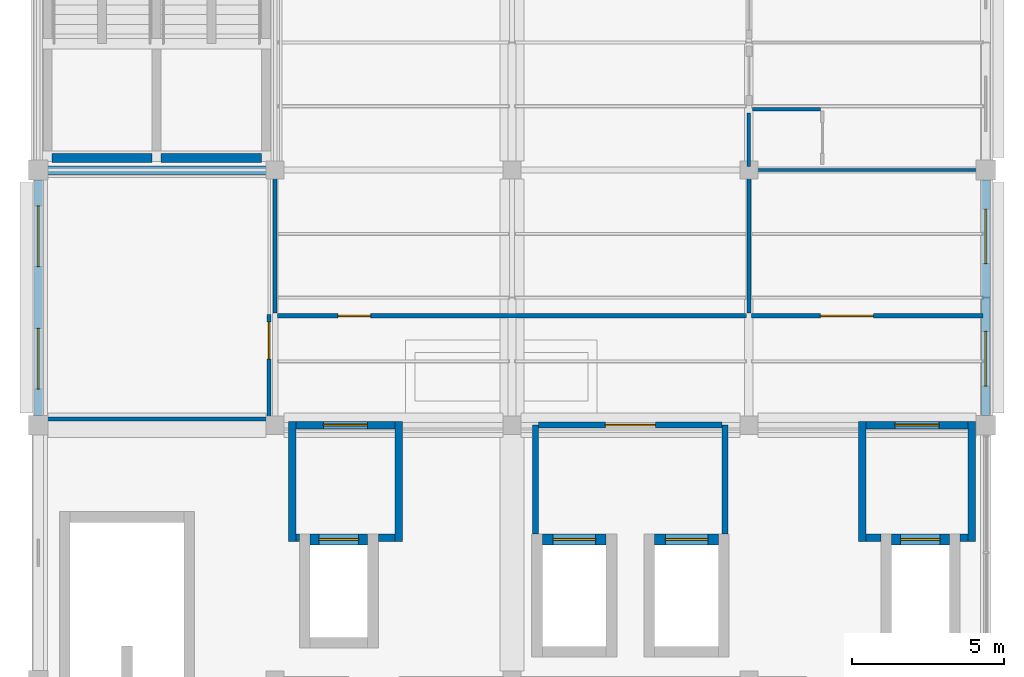
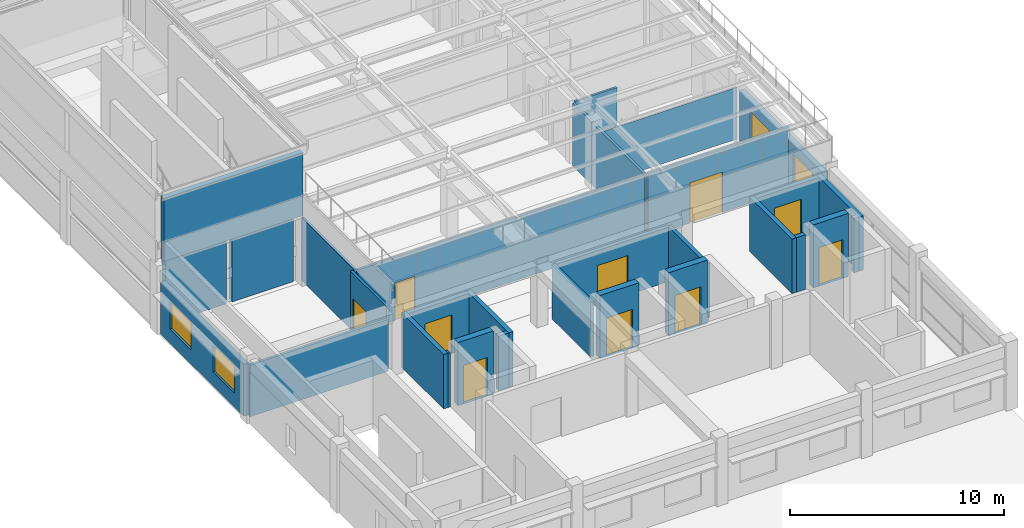
# One storey, part 15 of 20: 31 walls, 10 doors, 4 windows, 14 openings.
"""IFC4 building model written with IfcOpenShell, lengths in metres."""

from ifc_helpers import new_model, si_unit, direction, frame, frame_2d, origin, place, context, subcontext, project, spatial, rectangle, extrude, material, layer, layer_set, type_object, element, fill, save


model = new_model("IFC4")

# Units and contexts
model_context = context("Model", 3, precision=1e-05, world=origin(), true_north=direction((0.0, 1.0)))
body_context = subcontext(model_context, "Body", "Model", "MODEL_VIEW")
ifc_project = project(units=[si_unit("LENGTHUNIT", "METRE"), si_unit("AREAUNIT", "SQUARE_METRE"), si_unit("VOLUMEUNIT", "CUBIC_METRE"), si_unit("PLANEANGLEUNIT", "RADIAN"), si_unit("MASSUNIT", "GRAM", prefix="KILO"), si_unit("THERMODYNAMICTEMPERATUREUNIT", "KELVIN"), si_unit("POWERUNIT", "WATT")], contexts=[model_context])

# Site, building, storey
site_placement = place(None, origin())
site = spatial("IfcSite", under=ifc_project, at=site_placement, CompositionType="ELEMENT")
building_placement = place(site_placement, origin())
building = spatial("IfcBuilding", under=site, at=building_placement, Name="Srebrne Nadtorze General Hospital", CompositionType="ELEMENT")
storey_placement = place(building_placement, frame((0.0, 0.0, 33.89990234375)))
storey = spatial("IfcBuildingStorey", under=building, at=storey_placement, Name="L08", CompositionType="ELEMENT", Elevation=33.89990234375)

# Wall, opening, door
ifc_material_1 = material(Name="Gypsum Healthcare Partition")
ifc_layer_1 = layer(ifc_material_1, 0.139892578125)
ifc_layer_set_1 = layer_set([ifc_layer_1], Name="Gypsum Healthcare Partition")
wall_type_1 = type_object("IfcWallType", Name="Clinical partition 140", PredefinedType="PARTITIONING", material=ifc_layer_set_1)
wall_1_placement = place(storey_placement, frame((31.284912109375, 54.0, 0.0), z_axis=(0.0, 0.0, 1.0), x_axis=(1.0, 0.0, 0.0)))
wall_1 = element("IfcWall", 1, at=wall_1_placement, inside=storey, type_object=wall_type_1, Name="Trauma Transfer Suite wall WL-INT-L08-2521", PredefinedType="PARTITIONING", context=body_context, shape_type="SweptSolid", body=[
    extrude(rectangle(XDim=15.43017578125, YDim=0.139892578125, at=frame_2d((7.715087890625, 0.0))), origin(), (0.0, 0.0, 1.0), 3.580078125),
])
opening_1_placement = place(wall_1_placement, frame((1.981201171875, 0.0, 0.0)))
opening_1 = element("IfcOpeningElement", 2, at=opening_1_placement, cuts=wall_1, Name="Opening D-L08-0593", PredefinedType="OPENING", context=body_context, shape_type="SweptSolid", body=[
    extrude(rectangle(XDim=1.080078125, YDim=2.14990234375, at=frame_2d((0.5400390625, 1.074951171875))), frame((0.0, 0.08203125, 0.0), z_axis=(0.0, -1.0, 0.0), x_axis=(1.0, 0.0, 0.0)), (0.0, 0.0, 1.0), 0.163818359375),
])
ifc_material_2 = material(Name="Anodised Aluminium", Category="aluminium")
door_type_1 = type_object("IfcDoorType", Name="Single leaf door 1080x2150", OperationType="NOTDEFINED", PredefinedType="DOOR", material=ifc_material_2)
door_1_placement = place(opening_1_placement, origin())
door_1 = element("IfcDoor", 3, at=door_1_placement, inside=storey, type_object=door_type_1, Name="Trauma Transfer Suite door D-L08-0593", OperationType="SINGLE_SWING_LEFT", OverallHeight=2.14990234375, OverallWidth=1.080078125, PredefinedType="DOOR", context=body_context, shape_type="SweptSolid", body=[
    extrude(rectangle(XDim=1.080078125, YDim=2.14990234375, at=frame_2d((0.5400390625, 1.074951171875))), frame((0.0, 0.02490234375, 0.0), z_axis=(0.0, -1.0, 0.0), x_axis=(1.0, 0.0, 0.0)), (0.0, 0.0, 1.0), 0.050048828125),
])
fill(opening_1, door_1)

# Walls
wall_2_placement = place(storey_placement, frame((31.199951171875, 54.0849609375, 0.0), z_axis=(0.0, 0.0, 1.0), x_axis=(0.0, 1.0, 0.0)))
element("IfcWall", 4, at=wall_2_placement, inside=storey, type_object=wall_type_1, Name="Trauma Transfer Suite wall WL-INT-L08-2523", PredefinedType="PARTITIONING", context=body_context, shape_type="SweptSolid", body=[
    extrude(rectangle(XDim=4.85498046875, YDim=0.139892578125, at=frame_2d((2.427490234375, 0.0))), origin(), (0.0, 0.0, 1.0), 3.580078125),
])
wall_3_placement = place(storey_placement, frame((46.800048828125, 54.0849609375, 0.0), z_axis=(0.0, 0.0, 1.0), x_axis=(0.0, 1.0, 0.0)))
element("IfcWall", 5, at=wall_3_placement, inside=storey, type_object=wall_type_1, Name="Trauma Transfer Suite wall WL-INT-L08-2524", PredefinedType="PARTITIONING", context=body_context, shape_type="SweptSolid", body=[
    extrude(rectangle(XDim=4.794921875, YDim=0.139892578125, at=frame_2d((2.3974609375, 0.0))), origin(), (0.0, 0.0, 1.0), 3.580078125),
])

# Wall, opening, door
wall_4_placement = place(storey_placement, frame((31.0, 50.68505859375, 0.0), z_axis=(0.0, 0.0, 1.0), x_axis=(0.0, 1.0, 0.0)))
wall_4 = element("IfcWall", 6, at=wall_4_placement, inside=storey, type_object=wall_type_1, Name="Acute Trauma Procedure Room wall WL-INT-L08-2530", PredefinedType="PARTITIONING", context=body_context, shape_type="SweptSolid", body=[
    extrude(rectangle(XDim=3.35986328125, YDim=0.139892578125, at=frame_2d((1.679931640625, 0.0))), origin(), (0.0, 0.0, 1.0), 3.580078125),
])
opening_2_placement = place(wall_4_placement, frame((1.889892578125, 0.0, 0.0)))
opening_2 = element("IfcOpeningElement", 7, at=opening_2_placement, cuts=wall_4, Name="Opening D-L08-0596", PredefinedType="OPENING", context=body_context, shape_type="SweptSolid", body=[
    extrude(rectangle(XDim=1.219970703125, YDim=2.14990234375, at=frame_2d((0.60986328125, 1.074951171875))), frame((0.0, 0.08203125, 0.0), z_axis=(0.0, -1.0, 0.0), x_axis=(1.0, 0.0, 0.0)), (0.0, 0.0, 1.0), 0.163818359375),
])
ifc_material_3 = material(Name="Anodised Aluminium", Category="aluminium")
door_type_2 = type_object("IfcDoorType", Name="Single leaf door 1220x2150", OperationType="NOTDEFINED", PredefinedType="DOOR", material=ifc_material_3)
door_2_placement = place(opening_2_placement, origin())
door_2 = element("IfcDoor", 8, at=door_2_placement, inside=storey, type_object=door_type_2, Name="Acute Trauma Procedure Room door D-L08-0596", OperationType="SINGLE_SWING_RIGHT", OverallHeight=2.14990234375, OverallWidth=1.219970703125, PredefinedType="DOOR", context=body_context, shape_type="SweptSolid", body=[
    extrude(rectangle(XDim=1.219970703125, YDim=2.14990234375, at=frame_2d((0.60986328125, 1.074951171875))), frame((0.0, 0.02490234375, 0.0), z_axis=(0.0, -1.0, 0.0), x_axis=(1.0, 0.0, 0.0)), (0.0, 0.0, 1.0), 0.050048828125),
])
fill(opening_2, door_2)

# Wall
wall_5_placement = place(storey_placement, frame((23.485107421875, 50.60009765625, 0.0), z_axis=(0.0, 0.0, 1.0), x_axis=(1.0, 0.0, 0.0)))
element("IfcWall", 9, at=wall_5_placement, inside=storey, type_object=wall_type_1, Name="Acute Trauma Procedure Room wall WL-INT-L08-2531", PredefinedType="PARTITIONING", context=body_context, shape_type="SweptSolid", body=[
    extrude(rectangle(XDim=7.429931640625, YDim=0.139892578125, at=frame_2d((3.71484375, 0.0))), origin(), (0.0, 0.0, 1.0), 2.9501953125),
])

# Wall, opening, door
ifc_material_4 = material(Name="Gypsum Healthcare Partition")
ifc_layer_2 = layer(ifc_material_4, 0.159912109375)
ifc_layer_set_2 = layer_set([ifc_layer_2], Name="Gypsum Healthcare Partition")
wall_type_2 = type_object("IfcWallType", Name="Clinical partition 160", PredefinedType="PARTITIONING", material=ifc_layer_set_2)
wall_6_placement = place(storey_placement, frame((46.885009765625, 54.0, 0.0), z_axis=(0.0, 0.0, 1.0), x_axis=(1.0, 0.0, 0.0)))
wall_6 = element("IfcWall", 10, at=wall_6_placement, inside=storey, type_object=wall_type_2, Name="Nursing Station wall WL-INT-L08-2537", PredefinedType="PARTITIONING", context=body_context, shape_type="SweptSolid", body=[
    extrude(rectangle(XDim=7.6298828125, YDim=0.159912109375, at=frame_2d((3.81494140625, 0.0))), origin(), (0.0, 0.0, 1.0), 3.580078125),
])
opening_3_placement = place(wall_6_placement, frame((2.267578125, 0.0, 0.0)))
opening_3 = element("IfcOpeningElement", 11, at=opening_3_placement, cuts=wall_6, Name="Opening D-L08-0598", PredefinedType="OPENING", context=body_context, shape_type="SweptSolid", body=[
    extrude(rectangle(XDim=1.75, YDim=2.300048828125, at=frame_2d((0.875, 1.14990234375))), frame((0.0, 0.091796875, 0.0), z_axis=(0.0, -1.0, 0.0), x_axis=(1.0, 0.0, 0.0)), (0.0, 0.0, 1.0), 0.183837890625),
])
ifc_material_5 = material(Name="Anodised Aluminium", Category="aluminium")
door_type_3 = type_object("IfcDoorType", Name="Double leaf door 1750x2300", OperationType="DOUBLE_DOOR_SINGLE_SWING", PredefinedType="DOOR", material=ifc_material_5)
door_3_placement = place(opening_3_placement, origin())
door_3 = element("IfcDoor", 12, at=door_3_placement, inside=storey, type_object=door_type_3, Name="Nursing Station door D-L08-0598", OperationType="DOUBLE_DOOR_SINGLE_SWING", OverallHeight=2.300048828125, OverallWidth=1.75, PredefinedType="DOOR", context=body_context, shape_type="SweptSolid", body=[
    extrude(rectangle(XDim=1.75, YDim=2.300048828125, at=frame_2d((0.875, 1.14990234375))), frame((0.0, 0.02490234375, 0.0), z_axis=(0.0, -1.0, 0.0), x_axis=(1.0, 0.0, 0.0)), (0.0, 0.0, 1.0), 0.050048828125),
])
fill(opening_3, door_3)

# Walls
ifc_material_6 = material(Name="Gypsum Healthcare Partition")
ifc_layer_3 = layer(ifc_material_6, 0.199951171875)
ifc_layer_set_3 = layer_set([ifc_layer_3], Name="Gypsum Healthcare Partition")
wall_type_3 = type_object("IfcWallType", Name="Compartment wall 200", PredefinedType="STANDARD", material=ifc_layer_set_3)
for number, where, z_axis, x_axis, name in (
    (13, (39.780029296875, 46.81005859375, 0.0), (0.0, 0.0, 1.0), (0.0, 1.0, 0.0), "Lift lobby side wall WL-INT-L08-1185"),
    (14, (46.02001953125, 46.81005859375, 0.0), (0.0, 0.0, 1.0), (0.0, 1.0, 0.0), "Lift lobby side wall WL-INT-L08-1186"),
):
    element("IfcWall", number, at=place(storey_placement, frame(where, z_axis=z_axis, x_axis=x_axis)), inside=storey, type_object=wall_type_3, Name=name, PredefinedType="STANDARD", context=body_context, shape_type="SweptSolid", body=[
        extrude(rectangle(XDim=3.58984375, YDim=0.199951171875, at=frame_2d((1.794921875, 0.0))), origin(), (0.0, 0.0, 1.0), 3.10009765625),
    ])

# Wall, opening, door
wall_7_placement = place(storey_placement, frame((39.8798828125, 50.39990234375, 0.0), z_axis=(0.0, 0.0, 1.0), x_axis=(1.0, 0.0, 0.0)))
wall_7 = element("IfcWall", 15, at=wall_7_placement, inside=storey, type_object=wall_type_3, Name="Lift lobby corridor wall WL-INT-L08-1187", PredefinedType="STANDARD", context=body_context, shape_type="SweptSolid", body=[
    extrude(rectangle(XDim=6.0400390625, YDim=0.199951171875, at=frame_2d((3.02001953125, 0.0))), origin(), (0.0, 0.0, 1.0), 3.10009765625),
])
opening_4_placement = place(wall_7_placement, frame((2.195068359375, 0.0, 0.0)))
opening_4 = element("IfcOpeningElement", 16, at=opening_4_placement, cuts=wall_7, Name="Opening D-L08-0164", PredefinedType="OPENING", context=body_context, shape_type="SweptSolid", body=[
    extrude(rectangle(XDim=1.64990234375, YDim=2.25, at=frame_2d((0.824951171875, 1.125))), frame((0.0, 0.11181640625, 0.0), z_axis=(0.0, -1.0, 0.0), x_axis=(1.0, 0.0, 0.0)), (0.0, 0.0, 1.0), 0.223876953125),
])
ifc_material_7 = material(Name="Anodised Aluminium", Category="aluminium")
door_type_4 = type_object("IfcDoorType", Name="Double leaf door 1650x2250", OperationType="DOUBLE_DOOR_SINGLE_SWING", PredefinedType="DOOR", material=ifc_material_7)
door_4_placement = place(opening_4_placement, origin())
door_4 = element("IfcDoor", 17, at=door_4_placement, inside=storey, type_object=door_type_4, Name="Lift lobby corridor door D-L08-0164", OperationType="DOUBLE_DOOR_SINGLE_SWING", OverallHeight=2.25, OverallWidth=1.64990234375, PredefinedType="DOOR", context=body_context, shape_type="SweptSolid", body=[
    extrude(rectangle(XDim=1.64990234375, YDim=2.25, at=frame_2d((0.824951171875, 1.125))), frame((0.0, 0.02490234375, 0.0), z_axis=(0.0, -1.0, 0.0), x_axis=(1.0, 0.0, 0.0)), (0.0, 0.0, 1.0), 0.050048828125),
])
fill(opening_4, door_4)

# Walls
ifc_material_8 = material(Name="Gypsum Healthcare Partition")
ifc_layer_4 = layer(ifc_material_8, 0.239990234375)
ifc_layer_set_4 = layer_set([ifc_layer_4], Name="Gypsum Healthcare Partition")
wall_type_4 = type_object("IfcWallType", Name="Corridor fire wall 240", PredefinedType="STANDARD", material=ifc_layer_set_4)
for number, where, z_axis, x_axis, name in (
    (18, (31.760009765625, 46.570068359375, 0.0), (0.0, 0.0, 1.0), (0.0, 1.0, 0.0), "FF lift lobby wall WL-INT-L08-1175"),
    (19, (35.27001953125, 46.570068359375, 0.0), (0.0, 0.0, 1.0), (0.0, 1.0, 0.0), "FF lift lobby wall WL-INT-L08-1176"),
):
    element("IfcWall", number, at=place(storey_placement, frame(where, z_axis=z_axis, x_axis=x_axis)), inside=storey, type_object=wall_type_4, Name=name, PredefinedType="STANDARD", context=body_context, shape_type="SweptSolid", body=[
        extrude(rectangle(XDim=3.949951171875, YDim=0.239990234375, at=frame_2d((1.97509765625, 0.0))), origin(), (0.0, 0.0, 1.0), 3.10009765625),
    ])
wall_8_placement = place(storey_placement, frame((31.8798828125, 46.68994140625, 0.0), z_axis=(0.0, 0.0, 1.0), x_axis=(1.0, 0.0, 0.0)))
element("IfcWall", 20, at=wall_8_placement, inside=storey, type_object=wall_type_4, Name="FF lift lobby return wall WL-INT-L08-1177", PredefinedType="STANDARD", context=body_context, shape_type="SweptSolid", body=[
    extrude(rectangle(XDim=0.1201171875, YDim=0.239990234375, at=frame_2d((0.06005859375, 0.0))), origin(), (0.0, 0.0, 1.0), 3.10009765625),
])
wall_9_placement = place(storey_placement, frame((34.60009765625, 46.68994140625, 0.0), z_axis=(0.0, 0.0, 1.0), x_axis=(1.0, 0.0, 0.0)))
element("IfcWall", 21, at=wall_9_placement, inside=storey, type_object=wall_type_4, Name="FF lift lobby return wall WL-INT-L08-1178", PredefinedType="STANDARD", context=body_context, shape_type="SweptSolid", body=[
    extrude(rectangle(XDim=0.5498046875, YDim=0.239990234375, at=frame_2d((0.27490234375, 0.0))), origin(), (0.0, 0.0, 1.0), 3.10009765625),
])

# Wall, opening, door
wall_10_placement = place(storey_placement, frame((31.8798828125, 50.39990234375, 0.0), z_axis=(0.0, 0.0, 1.0), x_axis=(1.0, 0.0, 0.0)))
wall_10 = element("IfcWall", 22, at=wall_10_placement, inside=storey, type_object=wall_type_4, Name="FF lift lobby front wall WL-INT-L08-1179", PredefinedType="STANDARD", context=body_context, shape_type="SweptSolid", body=[
    extrude(rectangle(XDim=3.27001953125, YDim=0.239990234375, at=frame_2d((1.635009765625, 0.0))), origin(), (0.0, 0.0, 1.0), 3.10009765625),
])
opening_5_placement = place(wall_10_placement, frame((0.909912109375, 0.0, 0.0)))
opening_5 = element("IfcOpeningElement", 23, at=opening_5_placement, cuts=wall_10, Name="Opening D-L08-0162", PredefinedType="OPENING", context=body_context, shape_type="SweptSolid", body=[
    extrude(rectangle(XDim=1.449951171875, YDim=2.199951171875, at=frame_2d((0.72509765625, 1.10009765625))), frame((0.0, 0.1318359375, 0.0), z_axis=(0.0, -1.0, 0.0), x_axis=(1.0, 0.0, 0.0)), (0.0, 0.0, 1.0), 0.263916015625),
])
ifc_material_9 = material(Name="Anodised Aluminium", Category="aluminium")
door_type_5 = type_object("IfcDoorType", Name="Double leaf door 1450x2200", OperationType="DOUBLE_DOOR_SINGLE_SWING", PredefinedType="DOOR", material=ifc_material_9)
door_5_placement = place(opening_5_placement, origin())
door_5 = element("IfcDoor", 24, at=door_5_placement, inside=storey, type_object=door_type_5, Name="Firefighting lift lobby door D-L08-0162", OperationType="DOUBLE_DOOR_SINGLE_SWING", OverallHeight=2.199951171875, OverallWidth=1.449951171875, PredefinedType="DOOR", context=body_context, shape_type="SweptSolid", body=[
    extrude(rectangle(XDim=1.449951171875, YDim=2.199951171875, at=frame_2d((0.72509765625, 1.10009765625))), frame((0.0, 0.02490234375, 0.0), z_axis=(0.0, -1.0, 0.0), x_axis=(1.0, 0.0, 0.0)), (0.0, 0.0, 1.0), 0.050048828125),
])
fill(opening_5, door_5)

# Walls
for number, where, z_axis, x_axis, name in (
    (25, (50.530029296875, 46.570068359375, 0.0), (0.0, 0.0, 1.0), (0.0, 1.0, 0.0), "FF lift lobby wall WL-INT-L08-1180"),
    (26, (54.139892578125, 46.570068359375, 0.0), (0.0, 0.0, 1.0), (0.0, 1.0, 0.0), "FF lift lobby wall WL-INT-L08-1181"),
):
    element("IfcWall", number, at=place(storey_placement, frame(where, z_axis=z_axis, x_axis=x_axis)), inside=storey, type_object=wall_type_4, Name=name, PredefinedType="STANDARD", context=body_context, shape_type="SweptSolid", body=[
        extrude(rectangle(XDim=3.949951171875, YDim=0.239990234375, at=frame_2d((1.97509765625, 0.0))), origin(), (0.0, 0.0, 1.0), 3.10009765625),
    ])
wall_11_placement = place(storey_placement, frame((50.64990234375, 46.68994140625, 0.0), z_axis=(0.0, 0.0, 1.0), x_axis=(1.0, 0.0, 0.0)))
element("IfcWall", 27, at=wall_11_placement, inside=storey, type_object=wall_type_4, Name="FF lift lobby return wall WL-INT-L08-1182", PredefinedType="STANDARD", context=body_context, shape_type="SweptSolid", body=[
    extrude(rectangle(XDim=0.5, YDim=0.239990234375, at=frame_2d((0.25, 0.0))), origin(), (0.0, 0.0, 1.0), 3.10009765625),
])
wall_12_placement = place(storey_placement, frame((53.75, 46.68994140625, 0.0), z_axis=(0.0, 0.0, 1.0), x_axis=(1.0, 0.0, 0.0)))
element("IfcWall", 28, at=wall_12_placement, inside=storey, type_object=wall_type_4, Name="FF lift lobby return wall WL-INT-L08-1183", PredefinedType="STANDARD", context=body_context, shape_type="SweptSolid", body=[
    extrude(rectangle(XDim=0.27001953125, YDim=0.239990234375, at=frame_2d((0.135009765625, 0.0))), origin(), (0.0, 0.0, 1.0), 3.10009765625),
])

# Wall, opening, door
wall_13_placement = place(storey_placement, frame((50.64990234375, 50.39990234375, 0.0), z_axis=(0.0, 0.0, 1.0), x_axis=(1.0, 0.0, 0.0)))
wall_13 = element("IfcWall", 29, at=wall_13_placement, inside=storey, type_object=wall_type_4, Name="FF lift lobby front wall WL-INT-L08-1184", PredefinedType="STANDARD", context=body_context, shape_type="SweptSolid", body=[
    extrude(rectangle(XDim=3.3701171875, YDim=0.239990234375, at=frame_2d((1.68505859375, 0.0))), origin(), (0.0, 0.0, 1.0), 3.10009765625),
])
opening_6_placement = place(wall_13_placement, frame((0.9599609375, 0.0, 0.0)))
opening_6 = element("IfcOpeningElement", 30, at=opening_6_placement, cuts=wall_13, Name="Opening D-L08-0163", PredefinedType="OPENING", context=body_context, shape_type="SweptSolid", body=[
    extrude(rectangle(XDim=1.449951171875, YDim=2.199951171875, at=frame_2d((0.72509765625, 1.10009765625))), frame((0.0, 0.1318359375, 0.0), z_axis=(0.0, -1.0, 0.0), x_axis=(1.0, 0.0, 0.0)), (0.0, 0.0, 1.0), 0.263916015625),
])
door_6_placement = place(opening_6_placement, origin())
door_6 = element("IfcDoor", 31, at=door_6_placement, inside=storey, type_object=door_type_5, Name="Firefighting lift lobby door D-L08-0163", OperationType="DOUBLE_DOOR_SINGLE_SWING", OverallHeight=2.199951171875, OverallWidth=1.449951171875, PredefinedType="DOOR", context=body_context, shape_type="SweptSolid", body=[
    extrude(rectangle(XDim=1.449951171875, YDim=2.199951171875, at=frame_2d((0.72509765625, 1.10009765625))), frame((0.0, 0.02490234375, 0.0), z_axis=(0.0, -1.0, 0.0), x_axis=(1.0, 0.0, 0.0)), (0.0, 0.0, 1.0), 0.050048828125),
])
fill(opening_6, door_6)

# Walls
ifc_material_10 = material(Name="Gypsum Healthcare Partition")
ifc_layer_5 = layer(ifc_material_10, 0.1201171875)
ifc_layer_set_5 = layer_set([ifc_layer_5], Name="Gypsum Healthcare Partition")
wall_type_5 = type_object("IfcWallType", Name="En-suite partition 120", PredefinedType="PARTITIONING", material=ifc_layer_set_5)
wall_14_placement = place(storey_placement, frame((46.800048828125, 58.919921875, 0.0), z_axis=(0.0, 0.0, 1.0), x_axis=(0.0, 1.0, 0.0)))
element("IfcWall", 32, at=wall_14_placement, inside=storey, type_object=wall_type_5, Name="En-suite corridor wall WL-INT-L08-2503", PredefinedType="PARTITIONING", context=body_context, shape_type="SweptSolid", body=[
    extrude(rectangle(XDim=1.760009765625, YDim=0.1201171875, at=frame_2d((0.8798828125, 0.0))), origin(), (0.0, 0.0, 1.0), 3.580078125),
])
wall_15_placement = place(storey_placement, frame((46.919921875, 60.800048828125, 0.0), z_axis=(0.0, 0.0, 1.0), x_axis=(1.0, 0.0, 0.0)))
element("IfcWall", 33, at=wall_15_placement, inside=storey, type_object=wall_type_5, Name="En-suite wet wall WL-INT-L08-2504", PredefinedType="PARTITIONING", context=body_context, shape_type="SweptSolid", body=[
    extrude(rectangle(XDim=2.239990234375, YDim=0.1201171875, at=frame_2d((1.1201171875, 0.0))), origin(), (0.0, 0.0, 1.0), 3.580078125),
])
ifc_material_11 = material(Name="Gypsum Healthcare Partition")
ifc_layer_6 = layer(ifc_material_11, 0.10009765625)
ifc_layer_set_6 = layer_set([ifc_layer_6], Name="Gypsum Healthcare Partition")
wall_type_6 = type_object("IfcWallType", Name="Shaft lining wall 100", PredefinedType="PARTITIONING", material=ifc_layer_set_6)
wall_16_placement = place(storey_placement, frame((46.919921875, 58.800048828125, 0.0), z_axis=(0.0, 0.0, 1.0), x_axis=(1.0, 0.0, 0.0)))
element("IfcWall", 34, at=wall_16_placement, inside=storey, type_object=wall_type_6, Name="Ward inter-room partition WL-INT-L08-2500", PredefinedType="PARTITIONING", context=body_context, shape_type="SweptSolid", body=[
    extrude(rectangle(XDim=7.56005859375, YDim=0.10009765625, at=frame_2d((3.780029296875, 0.0))), origin(), (0.0, 0.0, 1.0), 2.9501953125),
])

# Wall, opening, door
ifc_material_12 = material(Name="Concrete C40/50", Category="concrete")
ifc_layer_7 = layer(ifc_material_12, 0.35009765625)
ifc_layer_set_7 = layer_set([ifc_layer_7], Name="Concrete C40/50")
wall_type_7 = type_object("IfcWallType", Name="Shear core wall 350", PredefinedType="SHEAR", material=ifc_layer_set_7)
wall_17_placement = place(storey_placement, frame((32.35009765625, 46.635009765625, 0.0), z_axis=(0.0, 0.0, 1.0), x_axis=(1.0, 0.0, 0.0)))
wall_17 = element("IfcWall", 35, at=wall_17_placement, inside=storey, type_object=wall_type_7, Name="Lift shaft front wall FL-01 WL-INT-L08-0505", PredefinedType="SHEAR", context=body_context, shape_type="SweptSolid", body=[
    extrude(rectangle(XDim=1.89990234375, YDim=0.35009765625, at=frame_2d((0.949951171875, 0.0))), origin(), (0.0, 0.0, 1.0), 3.60009765625),
])
opening_7_placement = place(wall_17_placement, frame((0.300048828125, 0.0, 0.0)))
opening_7 = element("IfcOpeningElement", 36, at=opening_7_placement, cuts=wall_17, Name="Opening LD-L08-010", PredefinedType="OPENING", context=body_context, shape_type="SweptSolid", body=[
    extrude(rectangle(XDim=1.300048828125, YDim=2.199951171875, at=frame_2d((0.64990234375, 1.10009765625))), frame((0.0, 0.18701171875, 0.0), z_axis=(0.0, -1.0, 0.0), x_axis=(1.0, 0.0, 0.0)), (0.0, 0.0, 1.0), 0.3740234375),
])
ifc_material_13 = material(Name="Anodised Aluminium", Category="aluminium")
door_type_6 = type_object("IfcDoorType", Name="Sliding lift door 1300x2200", OperationType="SLIDING_TO_LEFT", PredefinedType="DOOR", material=ifc_material_13)
door_7_placement = place(opening_7_placement, origin())
door_7 = element("IfcDoor", 37, at=door_7_placement, inside=storey, type_object=door_type_6, Name="Lift Landing Door LD-L08-010", OperationType="SLIDING_TO_LEFT", OverallHeight=2.199951171875, OverallWidth=1.300048828125, PredefinedType="DOOR", context=body_context, shape_type="SweptSolid", body=[
    extrude(rectangle(XDim=1.300048828125, YDim=2.199951171875, at=frame_2d((0.64990234375, 1.10009765625))), frame((0.0, 0.02490234375, 0.0), z_axis=(0.0, -1.0, 0.0), x_axis=(1.0, 0.0, 0.0)), (0.0, 0.0, 1.0), 0.050048828125),
])
fill(opening_7, door_7)

wall_18_placement = place(storey_placement, frame((40.0, 46.635009765625, 0.0), z_axis=(0.0, 0.0, 1.0), x_axis=(1.0, 0.0, 0.0)))
wall_18 = element("IfcWall", 38, at=wall_18_placement, inside=storey, type_object=wall_type_7, Name="Lift shaft front wall LS-01 WL-INT-L08-0581", PredefinedType="SHEAR", context=body_context, shape_type="SweptSolid", body=[
    extrude(rectangle(XDim=2.10009765625, YDim=0.35009765625, at=frame_2d((1.050048828125, 0.0))), origin(), (0.0, 0.0, 1.0), 3.60009765625),
])
opening_8_placement = place(wall_18_placement, frame((0.35009765625, 0.0, 0.0)))
opening_8 = element("IfcOpeningElement", 39, at=opening_8_placement, cuts=wall_18, Name="Opening LD-L08-029", PredefinedType="OPENING", context=body_context, shape_type="SweptSolid", body=[
    extrude(rectangle(XDim=1.39990234375, YDim=2.199951171875, at=frame_2d((0.699951171875, 1.10009765625))), frame((0.0, 0.18701171875, 0.0), z_axis=(0.0, -1.0, 0.0), x_axis=(1.0, 0.0, 0.0)), (0.0, 0.0, 1.0), 0.3740234375),
])
ifc_material_14 = material(Name="Anodised Aluminium", Category="aluminium")
door_type_7 = type_object("IfcDoorType", Name="Sliding lift door 1400x2200", OperationType="SLIDING_TO_LEFT", PredefinedType="DOOR", material=ifc_material_14)
door_8_placement = place(opening_8_placement, origin())
door_8 = element("IfcDoor", 40, at=door_8_placement, inside=storey, type_object=door_type_7, Name="Lift Landing Door LD-L08-029", OperationType="SLIDING_TO_LEFT", OverallHeight=2.199951171875, OverallWidth=1.39990234375, PredefinedType="DOOR", context=body_context, shape_type="SweptSolid", body=[
    extrude(rectangle(XDim=1.39990234375, YDim=2.199951171875, at=frame_2d((0.699951171875, 1.10009765625))), frame((0.0, 0.02490234375, 0.0), z_axis=(0.0, -1.0, 0.0), x_axis=(1.0, 0.0, 0.0)), (0.0, 0.0, 1.0), 0.050048828125),
])
fill(opening_8, door_8)

wall_19_placement = place(storey_placement, frame((43.699951171875, 46.635009765625, 0.0), z_axis=(0.0, 0.0, 1.0), x_axis=(1.0, 0.0, 0.0)))
wall_19 = element("IfcWall", 41, at=wall_19_placement, inside=storey, type_object=wall_type_7, Name="Lift shaft front wall LS-02 WL-INT-L08-0621", PredefinedType="SHEAR", context=body_context, shape_type="SweptSolid", body=[
    extrude(rectangle(XDim=2.10009765625, YDim=0.35009765625, at=frame_2d((1.050048828125, 0.0))), origin(), (0.0, 0.0, 1.0), 3.60009765625),
])
opening_9_placement = place(wall_19_placement, frame((0.35009765625, 0.0, 0.0)))
opening_9 = element("IfcOpeningElement", 42, at=opening_9_placement, cuts=wall_19, Name="Opening LD-L08-039", PredefinedType="OPENING", context=body_context, shape_type="SweptSolid", body=[
    extrude(rectangle(XDim=1.39990234375, YDim=2.199951171875, at=frame_2d((0.699951171875, 1.10009765625))), frame((0.0, 0.18701171875, 0.0), z_axis=(0.0, -1.0, 0.0), x_axis=(1.0, 0.0, 0.0)), (0.0, 0.0, 1.0), 0.3740234375),
])
door_9_placement = place(opening_9_placement, origin())
door_9 = element("IfcDoor", 43, at=door_9_placement, inside=storey, type_object=door_type_7, Name="Lift Landing Door LD-L08-039", OperationType="SLIDING_TO_LEFT", OverallHeight=2.199951171875, OverallWidth=1.39990234375, PredefinedType="DOOR", context=body_context, shape_type="SweptSolid", body=[
    extrude(rectangle(XDim=1.39990234375, YDim=2.199951171875, at=frame_2d((0.699951171875, 1.10009765625))), frame((0.0, 0.02490234375, 0.0), z_axis=(0.0, -1.0, 0.0), x_axis=(1.0, 0.0, 0.0)), (0.0, 0.0, 1.0), 0.050048828125),
])
fill(opening_9, door_9)

wall_20_placement = place(storey_placement, frame((51.5, 46.635009765625, 0.0), z_axis=(0.0, 0.0, 1.0), x_axis=(1.0, 0.0, 0.0)))
wall_20 = element("IfcWall", 44, at=wall_20_placement, inside=storey, type_object=wall_type_7, Name="Lift shaft front wall FL-02 WL-INT-L08-0697", PredefinedType="SHEAR", context=body_context, shape_type="SweptSolid", body=[
    extrude(rectangle(XDim=1.89990234375, YDim=0.35009765625, at=frame_2d((0.949951171875, 0.0))), origin(), (0.0, 0.0, 1.0), 3.60009765625),
])
opening_10_placement = place(wall_20_placement, frame((0.300048828125, 0.0, 0.0)))
opening_10 = element("IfcOpeningElement", 45, at=opening_10_placement, cuts=wall_20, Name="Opening LD-L08-058", PredefinedType="OPENING", context=body_context, shape_type="SweptSolid", body=[
    extrude(rectangle(XDim=1.300048828125, YDim=2.199951171875, at=frame_2d((0.64990234375, 1.10009765625))), frame((0.0, 0.18701171875, 0.0), z_axis=(0.0, -1.0, 0.0), x_axis=(1.0, 0.0, 0.0)), (0.0, 0.0, 1.0), 0.3740234375),
])
door_10_placement = place(opening_10_placement, origin())
door_10 = element("IfcDoor", 46, at=door_10_placement, inside=storey, type_object=door_type_6, Name="Lift Landing Door LD-L08-058", OperationType="SLIDING_TO_LEFT", OverallHeight=2.199951171875, OverallWidth=1.300048828125, PredefinedType="DOOR", context=body_context, shape_type="SweptSolid", body=[
    extrude(rectangle(XDim=1.300048828125, YDim=2.199951171875, at=frame_2d((0.64990234375, 1.10009765625))), frame((0.0, 0.02490234375, 0.0), z_axis=(0.0, -1.0, 0.0), x_axis=(1.0, 0.0, 0.0)), (0.0, 0.0, 1.0), 0.050048828125),
])
fill(opening_10, door_10)

# Wall, openings, windows
ifc_material_15 = material(Name="Concrete C35/45 precast", Category="concrete")
ifc_layer_8 = layer(ifc_material_15, 0.280029296875)
ifc_layer_set_8 = layer_set([ifc_layer_8], Name="Concrete C35/45 precast")
wall_type_8 = type_object("IfcWallType", Name="Spandrel wall 280", PredefinedType="STANDARD", material=ifc_layer_set_8)
wall_21_placement = place(storey_placement, frame((23.39990234375, 50.72509765625, 0.0), z_axis=(0.0, 0.0, 1.0), x_axis=(0.0, 1.0, 0.0)))
wall_21 = element("IfcWall", 47, at=wall_21_placement, inside=storey, type_object=wall_type_8, Name="Exterior wall WL-ENV-L08-0560", PredefinedType="STANDARD", context=body_context, shape_type="SweptSolid", body=[
    extrude(rectangle(XDim=7.75, YDim=0.280029296875, at=frame_2d((3.875, 0.0))), origin(), (0.0, 0.0, 1.0), 2.9501953125),
])
opening_11_placement = place(wall_21_placement, frame((0.85888671875, 0.0, 0.800048828125)))
opening_11 = element("IfcOpeningElement", 48, at=opening_11_placement, cuts=wall_21, Name="Opening WN-L08-0944", PredefinedType="OPENING", context=body_context, shape_type="SweptSolid", body=[
    extrude(rectangle(XDim=2.0, YDim=1.550048828125, at=frame_2d((1.0, 0.77490234375))), frame((0.0, 0.15185546875, 0.0), z_axis=(0.0, -1.0, 0.0), x_axis=(1.0, 0.0, 0.0)), (0.0, 0.0, 1.0), 0.303955078125),
])
opening_12_placement = place(wall_21_placement, frame((4.89111328125, 0.0, 0.800048828125)))
opening_12 = element("IfcOpeningElement", 49, at=opening_12_placement, cuts=wall_21, Name="Opening WN-L08-0945", PredefinedType="OPENING", context=body_context, shape_type="SweptSolid", body=[
    extrude(rectangle(XDim=2.0, YDim=1.550048828125, at=frame_2d((1.0, 0.77490234375))), frame((0.0, 0.15185546875, 0.0), z_axis=(0.0, -1.0, 0.0), x_axis=(1.0, 0.0, 0.0)), (0.0, 0.0, 1.0), 0.303955078125),
])
ifc_material_16 = material(Name="Triple Low-E Glazing", Category="glass")
window_type_1 = type_object("IfcWindowType", Name="Punched clinical window 2000x1550", PartitioningType="DOUBLE_PANEL_VERTICAL", PredefinedType="WINDOW", material=ifc_material_16)
window_1_placement = place(opening_11_placement, origin())
window_1 = element("IfcWindow", 50, at=window_1_placement, inside=storey, type_object=window_type_1, Name="Clinical window WN-L08-0944", OverallHeight=1.550048828125, OverallWidth=2.0, PartitioningType="DOUBLE_PANEL_VERTICAL", PredefinedType="WINDOW", context=body_context, shape_type="SweptSolid", body=[
    extrude(rectangle(XDim=2.0, YDim=1.550048828125, at=frame_2d((1.0, 0.77490234375))), frame((0.0, 0.030029296875, 0.0), z_axis=(0.0, -1.0, 0.0), x_axis=(1.0, 0.0, 0.0)), (0.0, 0.0, 1.0), 0.06005859375),
])
fill(opening_11, window_1)
window_2_placement = place(opening_12_placement, origin())
window_2 = element("IfcWindow", 51, at=window_2_placement, inside=storey, type_object=window_type_1, Name="Clinical window WN-L08-0945", OverallHeight=1.550048828125, OverallWidth=2.0, PartitioningType="DOUBLE_PANEL_VERTICAL", PredefinedType="WINDOW", context=body_context, shape_type="SweptSolid", body=[
    extrude(rectangle(XDim=2.0, YDim=1.550048828125, at=frame_2d((1.0, 0.77490234375))), frame((0.0, 0.030029296875, 0.0), z_axis=(0.0, -1.0, 0.0), x_axis=(1.0, 0.0, 0.0)), (0.0, 0.0, 1.0), 0.06005859375),
])
fill(opening_12, window_2)

wall_22_placement = place(storey_placement, frame((54.60009765625, 50.72509765625, 0.0), z_axis=(0.0, 0.0, 1.0), x_axis=(0.0, 1.0, 0.0)))
wall_22 = element("IfcWall", 52, at=wall_22_placement, inside=storey, type_object=wall_type_8, Name="Exterior wall WL-ENV-L08-0565", PredefinedType="STANDARD", context=body_context, shape_type="SweptSolid", body=[
    extrude(rectangle(XDim=7.75, YDim=0.280029296875, at=frame_2d((3.875, 0.0))), origin(), (0.0, 0.0, 1.0), 2.9501953125),
])
opening_13_placement = place(wall_22_placement, frame((0.958984375, 0.0, 0.800048828125)))
opening_13 = element("IfcOpeningElement", 53, at=opening_13_placement, cuts=wall_22, Name="Opening WN-L08-0948", PredefinedType="OPENING", context=body_context, shape_type="SweptSolid", body=[
    extrude(rectangle(XDim=1.800048828125, YDim=1.550048828125, at=frame_2d((0.89990234375, 0.77490234375))), frame((0.0, 0.15185546875, 0.0), z_axis=(0.0, -1.0, 0.0), x_axis=(1.0, 0.0, 0.0)), (0.0, 0.0, 1.0), 0.303955078125),
])
opening_14_placement = place(wall_22_placement, frame((4.990966796875, 0.0, 0.800048828125)))
opening_14 = element("IfcOpeningElement", 54, at=opening_14_placement, cuts=wall_22, Name="Opening WN-L08-0949", PredefinedType="OPENING", context=body_context, shape_type="SweptSolid", body=[
    extrude(rectangle(XDim=1.800048828125, YDim=1.550048828125, at=frame_2d((0.89990234375, 0.77490234375))), frame((0.0, 0.15185546875, 0.0), z_axis=(0.0, -1.0, 0.0), x_axis=(1.0, 0.0, 0.0)), (0.0, 0.0, 1.0), 0.303955078125),
])
ifc_material_17 = material(Name="Triple Low-E Glazing", Category="glass")
window_type_2 = type_object("IfcWindowType", Name="Punched clinical window 1800x1550", PartitioningType="DOUBLE_PANEL_VERTICAL", PredefinedType="WINDOW", material=ifc_material_17)
window_3_placement = place(opening_13_placement, origin())
window_3 = element("IfcWindow", 55, at=window_3_placement, inside=storey, type_object=window_type_2, Name="Clinical window WN-L08-0948", OverallHeight=1.550048828125, OverallWidth=1.800048828125, PartitioningType="DOUBLE_PANEL_VERTICAL", PredefinedType="WINDOW", context=body_context, shape_type="SweptSolid", body=[
    extrude(rectangle(XDim=1.800048828125, YDim=1.550048828125, at=frame_2d((0.89990234375, 0.77490234375))), frame((0.0, 0.030029296875, 0.0), z_axis=(0.0, -1.0, 0.0), x_axis=(1.0, 0.0, 0.0)), (0.0, 0.0, 1.0), 0.06005859375),
])
fill(opening_13, window_3)
window_4_placement = place(opening_14_placement, origin())
window_4 = element("IfcWindow", 56, at=window_4_placement, inside=storey, type_object=window_type_2, Name="Clinical window WN-L08-0949", OverallHeight=1.550048828125, OverallWidth=1.800048828125, PartitioningType="DOUBLE_PANEL_VERTICAL", PredefinedType="WINDOW", context=body_context, shape_type="SweptSolid", body=[
    extrude(rectangle(XDim=1.800048828125, YDim=1.550048828125, at=frame_2d((0.89990234375, 0.77490234375))), frame((0.0, 0.030029296875, 0.0), z_axis=(0.0, -1.0, 0.0), x_axis=(1.0, 0.0, 0.0)), (0.0, 0.0, 1.0), 0.06005859375),
])
fill(opening_14, window_4)

# Walls
wall_23_placement = place(storey_placement, frame((23.550048828125, 58.800048828125, 3.900146484375), z_axis=(0.0, 0.0, 1.0), x_axis=(1.0, 0.0, 0.0)))
element("IfcWall", 57, at=wall_23_placement, inside=storey, type_object=wall_type_8, Name="Helipad vestibule wall S", PredefinedType="STANDARD", context=body_context, shape_type="SweptSolid", body=[
    extrude(rectangle(XDim=7.5, YDim=0.280029296875, at=frame_2d((3.75, 0.0))), origin(), (0.0, 0.0, 1.0), 3.58984375),
])
ifc_material_18 = material(Name="Concrete C40/50", Category="concrete")
ifc_layer_9 = layer(ifc_material_18, 0.300048828125)
ifc_layer_set_9 = layer_set([ifc_layer_9], Name="Concrete C40/50")
wall_type_9 = type_object("IfcWallType", Name="Structural spine wall 300", PredefinedType="SHEAR", material=ifc_layer_set_9)
wall_24_placement = place(storey_placement, frame((23.85009765625, 59.199951171875, 0.0), z_axis=(0.0, 0.0, 1.0), x_axis=(1.0, 0.0, 0.0)))
element("IfcWall", 58, at=wall_24_placement, inside=storey, type_object=wall_type_9, Name="Helipad stair south wall ST-09 WL-INT-L08-0459", PredefinedType="SHEAR", context=body_context, shape_type="SweptSolid", body=[
    extrude(rectangle(XDim=3.2998046875, YDim=0.300048828125, at=frame_2d((1.64990234375, 0.0))), origin(), (0.0, 0.0, 1.0), 4.840087890625),
])
wall_25_placement = place(storey_placement, frame((27.449951171875, 59.199951171875, 0.0), z_axis=(0.0, 0.0, 1.0), x_axis=(1.0, 0.0, 0.0)))
element("IfcWall", 59, at=wall_25_placement, inside=storey, type_object=wall_type_9, Name="Helipad stair south wall ST-10 WL-INT-L08-0463", PredefinedType="SHEAR", context=body_context, shape_type="SweptSolid", body=[
    extrude(rectangle(XDim=3.300048828125, YDim=0.300048828125, at=frame_2d((1.64990234375, 0.0))), origin(), (0.0, 0.0, 1.0), 4.840087890625),
])

save(model, "model.ifc")
